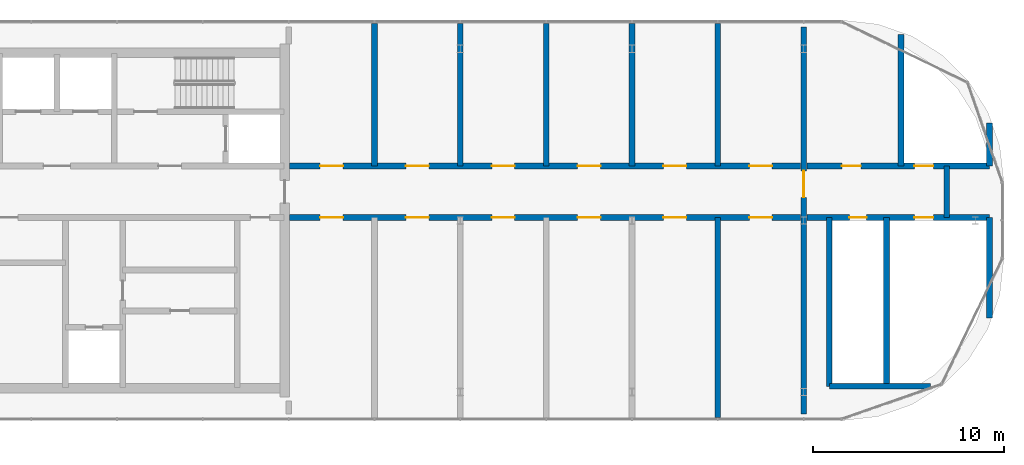
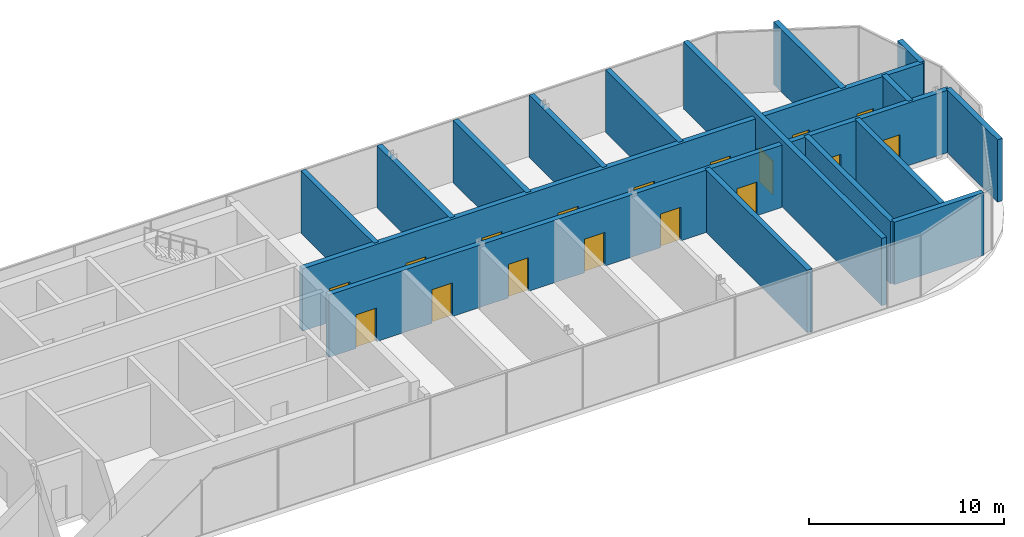
# One storey, part 12 of 14: 18 walls, 17 doors, 17 openings.
"""IFC4 building model written with IfcOpenShell, lengths in metres."""

import ifcopenshell
import ifcopenshell.guid

model = None  # the IFC model being written
_history = None  # IfcOwnerHistory: only IFC2X3 demands one
_inside = {}  # id of a spatial element -> (the spatial element, [elements in it])
_under = {}  # id of a project, library or spatial element -> (it, [spatial elements below it])
_declared = {}  # id of a project -> (the project, [libraries it declares])
_typed = {}  # id of a type object -> (the type object, [elements of that type])
_made_of = {}  # id of a material, layer set ... -> (it, [elements and type objects made of it])


def new_model(schema):
    """Start an empty IFC model of exactly this schema.

    Asked for "IFC4X3", IfcOpenShell would pick the latest addendum, in which some entities
    have other attributes; the version numbers below select the first issue.
    IFC2X3 requires an IfcOwnerHistory on every rooted entity: one is made here for all.
    """
    global model, _history
    if schema == "IFC4X3":
        model = ifcopenshell.file(schema_version=(4, 3, 0, 0))
    else:
        model = ifcopenshell.file(schema=schema)
    _inside.clear()
    _under.clear()
    _declared.clear()
    _typed.clear()
    _made_of.clear()
    _history = None
    if model.schema == "IFC2X3":
        org = make("IfcOrganization", Name="unknown")
        user = make(
            "IfcPersonAndOrganization",
            ThePerson=make("IfcPerson", FamilyName="unknown"),
            TheOrganization=org,
        )
        app = make(
            "IfcApplication",
            ApplicationDeveloper=org,
            Version="unknown",
            ApplicationFullName="unknown",
            ApplicationIdentifier="unknown",
        )
        _history = make(
            "IfcOwnerHistory",
            OwningUser=user,
            OwningApplication=app,
            ChangeAction="ADDED",
            CreationDate=0,
        )
    return model


def make(cls, **values):
    """One entity of the class cls with the attributes given. An attribute that is None is left unset."""
    return model.create_entity(
        cls, **{name: value for name, value in values.items() if value is not None}
    )


def rooted(cls, **values):
    """An entity with a GlobalId (a new one), such as an element, a storey or a relation."""
    return make(cls, GlobalId=ifcopenshell.guid.new(), OwnerHistory=_history, **values)


def si_unit(unit_type, name, prefix=None):
    """IfcSIUnit, for example si_unit("LENGTHUNIT", "METRE", prefix="MILLI")."""
    return make("IfcSIUnit", UnitType=unit_type, Prefix=prefix, Name=name)


def assignment(units):
    """IfcUnitAssignment: the units of a project."""
    return None if units is None else make("IfcUnitAssignment", Units=units)


def point(xyz):
    """IfcCartesianPoint."""
    return None if xyz is None else make("IfcCartesianPoint", Coordinates=xyz)


def direction(xyz):
    """IfcDirection."""
    return None if xyz is None else make("IfcDirection", DirectionRatios=xyz)


def frame(location, z_axis=None, x_axis=None):
    """IfcAxis2Placement3D, a coordinate frame: its origin and axes. An axis left out is left unset."""
    return make(
        "IfcAxis2Placement3D",
        Location=point(location),
        Axis=direction(z_axis),
        RefDirection=direction(x_axis),
    )


def frame_2d(location, x_axis=None):
    """IfcAxis2Placement2D, a coordinate frame in the plane: its origin and x axis."""
    return make(
        "IfcAxis2Placement2D", Location=point(location), RefDirection=direction(x_axis)
    )


def origin():
    """The frame at (0, 0, 0) with its axes left unset."""
    return frame((0.0, 0.0, 0.0))


def place(relative_to, where):
    """IfcLocalPlacement: puts the frame where relative to a parent placement (None: the world)."""
    return make(
        "IfcLocalPlacement", PlacementRelTo=relative_to, RelativePlacement=where
    )


def context(
    kind, dimensions, precision=None, world=None, true_north=None, identifier=None
):
    """IfcGeometricRepresentationContext, for example the 3D "Model" context."""
    return make(
        "IfcGeometricRepresentationContext",
        ContextIdentifier=identifier,
        ContextType=kind,
        CoordinateSpaceDimension=dimensions,
        Precision=precision,
        WorldCoordinateSystem=world,
        TrueNorth=true_north,
    )


def subcontext(parent, identifier, kind, view, scale=None):
    """IfcGeometricRepresentationSubContext, for example "Body" below "Model"."""
    return make(
        "IfcGeometricRepresentationSubContext",
        ContextIdentifier=identifier,
        ContextType=kind,
        ParentContext=parent,
        TargetScale=scale,
        TargetView=view,
    )


def project(units=None, contexts=None):
    """IfcProject with its units and contexts."""
    return rooted(
        "IfcProject",
        Name="project",
        RepresentationContexts=contexts,
        UnitsInContext=assignment(units),
    )


def spatial(cls, under=None, at=None, **own):
    """A site, building, storey or space (cls), placed at a placement, below another one or the project."""
    s = rooted(cls, ObjectPlacement=at, **own)
    if under is not None:
        _under.setdefault(under.id(), (under, []))[1].append(s)
    return s


def profile(cls, at=None, kind="AREA", **sizes):
    """A parametric profile (cls). Its sizes go by their IFC names, for example OverallWidth=200.0."""
    return make(cls, ProfileType=kind, Position=at, **sizes)


def rectangle(**sizes):
    """IfcRectangleProfileDef."""
    return profile("IfcRectangleProfileDef", **sizes)


def extrude(swept, where, along, depth):
    """IfcExtrudedAreaSolid: the profile swept, set in the frame where, extruded along a direction by depth."""
    return make(
        "IfcExtrudedAreaSolid",
        SweptArea=swept,
        Position=where,
        ExtrudedDirection=direction(along),
        Depth=depth,
    )


def shape(context_of_items, identifier, shape_type, items):
    """IfcShapeRepresentation: the items that make up one representation, for example the "Body"."""
    return make(
        "IfcShapeRepresentation",
        ContextOfItems=context_of_items,
        RepresentationIdentifier=identifier,
        RepresentationType=shape_type,
        Items=items,
    )


def material(Name=None, Category=None):
    """IfcMaterial."""
    return make("IfcMaterial", Name=Name, Category=Category)


def layer(
    of_material, thickness, ventilated=None, Name=None, Category=None, Priority=None
):
    """IfcMaterialLayer: one layer of a wall or slab, of a material (None: an air gap)."""
    return make(
        "IfcMaterialLayer",
        Material=of_material,
        LayerThickness=thickness,
        IsVentilated=ventilated,
        Name=Name,
        Category=Category,
        Priority=Priority,
    )


def layer_set(layers, Name=None):
    """IfcMaterialLayerSet."""
    return make("IfcMaterialLayerSet", MaterialLayers=layers, LayerSetName=Name)


def made_of(thing, what):
    """Note that an element or type object is made of a material, layer set ...; save() writes the relation."""
    if what is not None:
        _made_of.setdefault(what.id(), (what, []))[1].append(thing)
    return thing


def type_object(cls, material=None, **own):
    """A type object (cls), such as IfcWallType, which elements share."""
    return made_of(rooted(cls, **own), material)


def element(
    cls,
    number,
    at=None,
    inside=None,
    cuts=None,
    type_object=None,
    material=None,
    context=None,
    identifier="Body",
    shape_type=None,
    held_by="IfcProductDefinitionShape",
    body=None,
    shapes=None,
    **own,
):
    """One element of the class cls, such as IfcWall. Its Tag is "e" and its number.

    at: its placement. inside: the storey or other place that contains it. cuts: it is an
    opening in that element (IfcRelVoidsElement). A single representation is given by context,
    identifier, shape_type and body (its items); several are given by shapes. held_by: the class
    of the entity that holds the representations. save() writes the other relations.
    """
    e = rooted(cls, Tag="e%d" % number, ObjectPlacement=at, **own)
    if body is not None:
        shapes = [shape(context, identifier, shape_type, body)]
    if shapes is not None:
        e.Representation = make(held_by, Representations=shapes)
    if inside is not None:
        _inside.setdefault(inside.id(), (inside, []))[1].append(e)
    if cuts is not None:
        rooted(
            "IfcRelVoidsElement", RelatingBuildingElement=cuts, RelatedOpeningElement=e
        )
    if type_object is not None:
        _typed.setdefault(type_object.id(), (type_object, []))[1].append(e)
    return made_of(e, material)


def fill(opening, filler):
    """IfcRelFillsElement: the door or window that sits in an opening."""
    return rooted(
        "IfcRelFillsElement",
        RelatingOpeningElement=opening,
        RelatedBuildingElement=filler,
    )


def aggregate(whole, parts):
    """IfcRelAggregates: a whole, such as a stair, and the parts it consists of."""
    return rooted("IfcRelAggregates", RelatingObject=whole, RelatedObjects=parts)


def save(model, path):
    """Write the relations noted so far, then the file.

    IfcRelAggregates (storeys below a building ...), IfcRelContainedInSpatialStructure (elements
    in a storey), IfcRelDefinesByType, IfcRelAssociatesMaterial and IfcRelDeclares: one each for
    every whole, place, type object, material and project.
    """
    for whole, parts in _under.values():
        aggregate(whole, parts)
    for where, things in _inside.values():
        rooted(
            "IfcRelContainedInSpatialStructure",
            RelatedElements=things,
            RelatingStructure=where,
        )
    for kind, things in _typed.values():
        rooted("IfcRelDefinesByType", RelatedObjects=things, RelatingType=kind)
    for what, things in _made_of.values():
        rooted("IfcRelAssociatesMaterial", RelatedObjects=things, RelatingMaterial=what)
    for by, libraries in _declared.values():
        rooted("IfcRelDeclares", RelatingContext=by, RelatedDefinitions=libraries)
    model.write(path)


model = new_model("IFC4")

# Units and contexts
model_context = context("Model", 3, precision=1e-05, world=origin(), true_north=direction((0.0, 1.0)))
body_context = subcontext(model_context, "Body", "Model", "MODEL_VIEW")
ifc_project = project(units=[si_unit("LENGTHUNIT", "METRE"), si_unit("AREAUNIT", "SQUARE_METRE"), si_unit("VOLUMEUNIT", "CUBIC_METRE"), si_unit("PLANEANGLEUNIT", "RADIAN"), si_unit("MASSUNIT", "GRAM", prefix="KILO")], contexts=[model_context])

# Site, building, storey
site_placement = place(None, origin())
site = spatial("IfcSite", under=ifc_project, at=site_placement, CompositionType="ELEMENT")
building_placement = place(site_placement, origin())
building = spatial("IfcBuilding", under=site, at=building_placement, Name="Ogive Portal Towers", CompositionType="ELEMENT")
storey_placement = place(building_placement, frame((0.0, 0.0, 277.10009765625)))
storey = spatial("IfcBuildingStorey", under=building, at=storey_placement, Name="L67", CompositionType="ELEMENT", Elevation=277.10009765625)

# Wall, opening, door
ifc_material_1 = material(Name="Concrete C60/75", Category="concrete")
ifc_layer_1 = layer(ifc_material_1, 0.300048828125)
ifc_layer_set_1 = layer_set([ifc_layer_1], Name="REVEAL WALL 300 C60")
wall_type_1 = type_object("IfcWallType", Name="REVEAL WALL 300 C60", PredefinedType="SHEAR", material=ifc_layer_set_1)
wall_1_placement = place(storey_placement, frame((85.5, 20.35009765625, 0.0), z_axis=(0.0, 0.0, 1.0), x_axis=(0.0, 1.0, 0.0)))
wall_1 = element("IfcWall", 1, at=wall_1_placement, inside=storey, type_object=wall_type_1, Name="Portal reveal wall L67", PredefinedType="SHEAR", context=body_context, shape_type="SweptSolid", body=[
    extrude(rectangle(XDim=20.2998046875, YDim=0.300048828125, at=frame_2d((10.14990234375, 0.0))), origin(), (0.0, 0.0, 1.0), 4.199951171875),
])
opening_1_placement = place(wall_1_placement, frame((11.35009765625, 0.0, 0.0)))
opening_1 = element("IfcOpeningElement", 2, at=opening_1_placement, cuts=wall_1, Name="Opening D33-038", PredefinedType="OPENING", context=body_context, shape_type="SweptSolid", body=[
    extrude(rectangle(XDim=1.39990234375, YDim=2.10009765625, at=frame_2d((0.699951171875, 1.050048828125))), frame((0.0, 0.16015625, 0.0), z_axis=(0.0, -1.0, 0.0), x_axis=(1.0, 0.0, 0.0)), (0.0, 0.0, 1.0), 0.320068359375),
])
ifc_material_2 = material(Name="Steel fire door", Category="steel")
door_type_1 = type_object("IfcDoorType", Name="DT-STAIR-1400x2100-FD90S", OperationType="SINGLE_SWING_LEFT", PredefinedType="DOOR", material=ifc_material_2)
door_1_placement = place(opening_1_placement, origin())
door_1 = element("IfcDoor", 3, at=door_1_placement, inside=storey, type_object=door_type_1, Name="Door D33-038", OperationType="SINGLE_SWING_RIGHT", OverallHeight=2.10009765625, OverallWidth=1.39990234375, PredefinedType="DOOR", context=body_context, shape_type="SweptSolid", body=[
    extrude(rectangle(XDim=1.39990234375, YDim=2.10009765625, at=frame_2d((0.699951171875, 1.050048828125))), frame((0.0, 0.02490234375, 0.0), z_axis=(0.0, -1.0, 0.0), x_axis=(1.0, 0.0, 0.0)), (0.0, 0.0, 1.0), 0.050048828125),
])
fill(opening_1, door_1)

# Wall
ifc_material_3 = material(Name="Gypsum board partition on steel studs", Category="steel")
ifc_layer_2 = layer(ifc_material_3, 0.300048828125)
ifc_layer_set_2 = layer_set([ifc_layer_2], Name="WT-PART-300-EI 120")
wall_type_2 = type_object("IfcWallType", Name="WT-PART-300-EI 120", PredefinedType="PARTITIONING", material=ifc_layer_set_2)
wall_2_placement = place(storey_placement, frame((86.85009765625, 21.800048828125, 0.0), z_axis=(0.0, 0.0, 1.0), x_axis=(1.0, 0.0, 0.0)))
element("IfcWall", 4, at=wall_2_placement, inside=storey, type_object=wall_type_2, Name="Wall L67:w001", PredefinedType="PARTITIONING", context=body_context, shape_type="SweptSolid", body=[
    extrude(rectangle(XDim=5.2998046875, YDim=0.300048828125, at=frame_2d((2.64990234375, 0.0))), origin(), (0.0, 0.0, 1.0), 3.89990234375),
])

# Wall, openings, doors
wall_3_placement = place(storey_placement, frame((58.550048828125, 30.64990234375, 0.0), z_axis=(0.0, 0.0, 1.0), x_axis=(1.0, 0.0, 0.0)))
wall_3 = element("IfcWall", 5, at=wall_3_placement, inside=storey, type_object=wall_type_2, Name="Wall L67:w002", PredefinedType="PARTITIONING", context=body_context, shape_type="SweptSolid", body=[
    extrude(rectangle(XDim=26.780029296875, YDim=0.300048828125, at=frame_2d((13.39013671875, 0.0))), origin(), (0.0, 0.0, 1.0), 3.89990234375),
])
opening_2_placement = place(wall_3_placement, frame((1.60009765625, 0.0, 0.0)))
opening_2 = element("IfcOpeningElement", 6, at=opening_2_placement, cuts=wall_3, Name="Opening D33-024", PredefinedType="OPENING", context=body_context, shape_type="SweptSolid", body=[
    extrude(rectangle(XDim=1.199951171875, YDim=2.10009765625, at=frame_2d((0.60009765625, 1.050048828125))), frame((0.0, 0.16015625, 0.0), z_axis=(0.0, -1.0, 0.0), x_axis=(1.0, 0.0, 0.0)), (0.0, 0.0, 1.0), 0.320068359375),
])
opening_3_placement = place(wall_3_placement, frame((6.10009765625, 0.0, 0.0)))
opening_3 = element("IfcOpeningElement", 7, at=opening_3_placement, cuts=wall_3, Name="Opening D33-025", PredefinedType="OPENING", context=body_context, shape_type="SweptSolid", body=[
    extrude(rectangle(XDim=1.199951171875, YDim=2.10009765625, at=frame_2d((0.60009765625, 1.050048828125))), frame((0.0, 0.16015625, 0.0), z_axis=(0.0, -1.0, 0.0), x_axis=(1.0, 0.0, 0.0)), (0.0, 0.0, 1.0), 0.320068359375),
])
opening_4_placement = place(wall_3_placement, frame((10.60009765625, 0.0, 0.0)))
opening_4 = element("IfcOpeningElement", 8, at=opening_4_placement, cuts=wall_3, Name="Opening D33-028", PredefinedType="OPENING", context=body_context, shape_type="SweptSolid", body=[
    extrude(rectangle(XDim=1.199951171875, YDim=2.10009765625, at=frame_2d((0.60009765625, 1.050048828125))), frame((0.0, 0.16015625, 0.0), z_axis=(0.0, -1.0, 0.0), x_axis=(1.0, 0.0, 0.0)), (0.0, 0.0, 1.0), 0.320068359375),
])
opening_5_placement = place(wall_3_placement, frame((15.10009765625, 0.0, 0.0)))
opening_5 = element("IfcOpeningElement", 9, at=opening_5_placement, cuts=wall_3, Name="Opening D33-029", PredefinedType="OPENING", context=body_context, shape_type="SweptSolid", body=[
    extrude(rectangle(XDim=1.199951171875, YDim=2.10009765625, at=frame_2d((0.60009765625, 1.050048828125))), frame((0.0, 0.16015625, 0.0), z_axis=(0.0, -1.0, 0.0), x_axis=(1.0, 0.0, 0.0)), (0.0, 0.0, 1.0), 0.320068359375),
])
opening_6_placement = place(wall_3_placement, frame((19.60009765625, 0.0, 0.0)))
opening_6 = element("IfcOpeningElement", 10, at=opening_6_placement, cuts=wall_3, Name="Opening D33-032", PredefinedType="OPENING", context=body_context, shape_type="SweptSolid", body=[
    extrude(rectangle(XDim=1.199951171875, YDim=2.10009765625, at=frame_2d((0.60009765625, 1.050048828125))), frame((0.0, 0.16015625, 0.0), z_axis=(0.0, -1.0, 0.0), x_axis=(1.0, 0.0, 0.0)), (0.0, 0.0, 1.0), 0.320068359375),
])
opening_7_placement = place(wall_3_placement, frame((24.10009765625, 0.0, 0.0)))
opening_7 = element("IfcOpeningElement", 11, at=opening_7_placement, cuts=wall_3, Name="Opening D33-033", PredefinedType="OPENING", context=body_context, shape_type="SweptSolid", body=[
    extrude(rectangle(XDim=1.199951171875, YDim=2.10009765625, at=frame_2d((0.60009765625, 1.050048828125))), frame((0.0, 0.16015625, 0.0), z_axis=(0.0, -1.0, 0.0), x_axis=(1.0, 0.0, 0.0)), (0.0, 0.0, 1.0), 0.320068359375),
])
door_type_2 = type_object("IfcDoorType", Name="DT-ENTRY-1200x2100-FD90S", OperationType="SINGLE_SWING_LEFT", PredefinedType="DOOR", material=ifc_material_2)
door_2_placement = place(opening_2_placement, origin())
door_2 = element("IfcDoor", 12, at=door_2_placement, inside=storey, type_object=door_type_2, Name="Door D33-024", OperationType="SINGLE_SWING_RIGHT", OverallHeight=2.10009765625, OverallWidth=1.199951171875, PredefinedType="DOOR", context=body_context, shape_type="SweptSolid", body=[
    extrude(rectangle(XDim=1.199951171875, YDim=2.10009765625, at=frame_2d((0.60009765625, 1.050048828125))), frame((0.0, 0.02490234375, 0.0), z_axis=(0.0, -1.0, 0.0), x_axis=(1.0, 0.0, 0.0)), (0.0, 0.0, 1.0), 0.050048828125),
])
fill(opening_2, door_2)
door_3_placement = place(opening_3_placement, origin())
door_3 = element("IfcDoor", 13, at=door_3_placement, inside=storey, type_object=door_type_2, Name="Door D33-025", OperationType="SINGLE_SWING_LEFT", OverallHeight=2.10009765625, OverallWidth=1.199951171875, PredefinedType="DOOR", context=body_context, shape_type="SweptSolid", body=[
    extrude(rectangle(XDim=1.199951171875, YDim=2.10009765625, at=frame_2d((0.60009765625, 1.050048828125))), frame((0.0, 0.02490234375, 0.0), z_axis=(0.0, -1.0, 0.0), x_axis=(1.0, 0.0, 0.0)), (0.0, 0.0, 1.0), 0.050048828125),
])
fill(opening_3, door_3)
door_4_placement = place(opening_4_placement, origin())
door_4 = element("IfcDoor", 14, at=door_4_placement, inside=storey, type_object=door_type_2, Name="Door D33-028", OperationType="SINGLE_SWING_LEFT", OverallHeight=2.10009765625, OverallWidth=1.199951171875, PredefinedType="DOOR", context=body_context, shape_type="SweptSolid", body=[
    extrude(rectangle(XDim=1.199951171875, YDim=2.10009765625, at=frame_2d((0.60009765625, 1.050048828125))), frame((0.0, 0.02490234375, 0.0), z_axis=(0.0, -1.0, 0.0), x_axis=(1.0, 0.0, 0.0)), (0.0, 0.0, 1.0), 0.050048828125),
])
fill(opening_4, door_4)
door_5_placement = place(opening_5_placement, origin())
door_5 = element("IfcDoor", 15, at=door_5_placement, inside=storey, type_object=door_type_2, Name="Door D33-029", OperationType="SINGLE_SWING_LEFT", OverallHeight=2.10009765625, OverallWidth=1.199951171875, PredefinedType="DOOR", context=body_context, shape_type="SweptSolid", body=[
    extrude(rectangle(XDim=1.199951171875, YDim=2.10009765625, at=frame_2d((0.60009765625, 1.050048828125))), frame((0.0, 0.02490234375, 0.0), z_axis=(0.0, -1.0, 0.0), x_axis=(1.0, 0.0, 0.0)), (0.0, 0.0, 1.0), 0.050048828125),
])
fill(opening_5, door_5)
door_6_placement = place(opening_6_placement, origin())
door_6 = element("IfcDoor", 16, at=door_6_placement, inside=storey, type_object=door_type_2, Name="Door D33-032", OperationType="SINGLE_SWING_LEFT", OverallHeight=2.10009765625, OverallWidth=1.199951171875, PredefinedType="DOOR", context=body_context, shape_type="SweptSolid", body=[
    extrude(rectangle(XDim=1.199951171875, YDim=2.10009765625, at=frame_2d((0.60009765625, 1.050048828125))), frame((0.0, 0.02490234375, 0.0), z_axis=(0.0, -1.0, 0.0), x_axis=(1.0, 0.0, 0.0)), (0.0, 0.0, 1.0), 0.050048828125),
])
fill(opening_6, door_6)
door_7_placement = place(opening_7_placement, origin())
door_7 = element("IfcDoor", 17, at=door_7_placement, inside=storey, type_object=door_type_2, Name="Door D33-033", OperationType="SINGLE_SWING_RIGHT", OverallHeight=2.10009765625, OverallWidth=1.199951171875, PredefinedType="DOOR", context=body_context, shape_type="SweptSolid", body=[
    extrude(rectangle(XDim=1.199951171875, YDim=2.10009765625, at=frame_2d((0.60009765625, 1.050048828125))), frame((0.0, 0.02490234375, 0.0), z_axis=(0.0, -1.0, 0.0), x_axis=(1.0, 0.0, 0.0)), (0.0, 0.0, 1.0), 0.050048828125),
])
fill(opening_7, door_7)

wall_4_placement = place(storey_placement, frame((85.669921875, 30.64990234375, 0.0), z_axis=(0.0, 0.0, 1.0), x_axis=(1.0, 0.0, 0.0)))
wall_4 = element("IfcWall", 18, at=wall_4_placement, inside=storey, type_object=wall_type_2, Name="Wall L67:w003", PredefinedType="PARTITIONING", context=body_context, shape_type="SweptSolid", body=[
    extrude(rectangle(XDim=9.580078125, YDim=0.300048828125, at=frame_2d((4.7900390625, 0.0))), origin(), (0.0, 0.0, 1.0), 3.89990234375),
])
opening_8_placement = place(wall_4_placement, frame((2.22998046875, 0.0, 0.0)))
opening_8 = element("IfcOpeningElement", 19, at=opening_8_placement, cuts=wall_4, Name="Opening D33-034", PredefinedType="OPENING", context=body_context, shape_type="SweptSolid", body=[
    extrude(rectangle(XDim=0.89990234375, YDim=2.10009765625, at=frame_2d((0.449951171875, 1.050048828125))), frame((0.0, 0.16015625, 0.0), z_axis=(0.0, -1.0, 0.0), x_axis=(1.0, 0.0, 0.0)), (0.0, 0.0, 1.0), 0.320068359375),
])
opening_9_placement = place(wall_4_placement, frame((5.6298828125, 0.0, 0.0)))
opening_9 = element("IfcOpeningElement", 20, at=opening_9_placement, cuts=wall_4, Name="Opening D33-037", PredefinedType="OPENING", context=body_context, shape_type="SweptSolid", body=[
    extrude(rectangle(XDim=1.0, YDim=2.10009765625, at=frame_2d((0.5, 1.050048828125))), frame((0.0, 0.16015625, 0.0), z_axis=(0.0, -1.0, 0.0), x_axis=(1.0, 0.0, 0.0)), (0.0, 0.0, 1.0), 0.320068359375),
])
door_type_3 = type_object("IfcDoorType", Name="DT-SERVICE-1000x2100-FD90S", OperationType="SINGLE_SWING_LEFT", PredefinedType="DOOR", material=ifc_material_2)
door_8_placement = place(opening_9_placement, origin())
door_8 = element("IfcDoor", 21, at=door_8_placement, inside=storey, type_object=door_type_3, Name="Riser access door D33-037", OperationType="SINGLE_SWING_LEFT", OverallHeight=2.10009765625, OverallWidth=1.0, PredefinedType="DOOR", context=body_context, shape_type="SweptSolid", body=[
    extrude(rectangle(XDim=1.0, YDim=2.10009765625, at=frame_2d((0.5, 1.050048828125))), frame((0.0, 0.02490234375, 0.0), z_axis=(0.0, -1.0, 0.0), x_axis=(1.0, 0.0, 0.0)), (0.0, 0.0, 1.0), 0.050048828125),
])
fill(opening_9, door_8)
door_type_4 = type_object("IfcDoorType", Name="DT-SERVICE-900x2100-FD90S", OperationType="SINGLE_SWING_LEFT", PredefinedType="DOOR", material=ifc_material_2)
door_9_placement = place(opening_8_placement, origin())
door_9 = element("IfcDoor", 22, at=door_9_placement, inside=storey, type_object=door_type_4, Name="Riser access door D33-034", OperationType="SINGLE_SWING_LEFT", OverallHeight=2.10009765625, OverallWidth=0.89990234375, PredefinedType="DOOR", context=body_context, shape_type="SweptSolid", body=[
    extrude(rectangle(XDim=0.89990234375, YDim=2.10009765625, at=frame_2d((0.449951171875, 1.050048828125))), frame((0.0, 0.02490234375, 0.0), z_axis=(0.0, -1.0, 0.0), x_axis=(1.0, 0.0, 0.0)), (0.0, 0.0, 1.0), 0.050048828125),
])
fill(opening_8, door_9)

wall_5_placement = place(storey_placement, frame((58.550048828125, 33.35009765625, 0.0), z_axis=(0.0, 0.0, 1.0), x_axis=(1.0, 0.0, 0.0)))
wall_5 = element("IfcWall", 23, at=wall_5_placement, inside=storey, type_object=wall_type_2, Name="Wall L67:w004", PredefinedType="PARTITIONING", context=body_context, shape_type="SweptSolid", body=[
    extrude(rectangle(XDim=26.780029296875, YDim=0.300048828125, at=frame_2d((13.39013671875, 0.0))), origin(), (0.0, 0.0, 1.0), 3.89990234375),
])
opening_10_placement = place(wall_5_placement, frame((1.60009765625, 0.0, 0.0)))
opening_10 = element("IfcOpeningElement", 24, at=opening_10_placement, cuts=wall_5, Name="Opening D33-022", PredefinedType="OPENING", context=body_context, shape_type="SweptSolid", body=[
    extrude(rectangle(XDim=1.199951171875, YDim=2.10009765625, at=frame_2d((0.60009765625, 1.050048828125))), frame((0.0, 0.16015625, 0.0), z_axis=(0.0, -1.0, 0.0), x_axis=(1.0, 0.0, 0.0)), (0.0, 0.0, 1.0), 0.320068359375),
])
opening_11_placement = place(wall_5_placement, frame((6.10009765625, 0.0, 0.0)))
opening_11 = element("IfcOpeningElement", 25, at=opening_11_placement, cuts=wall_5, Name="Opening D33-023", PredefinedType="OPENING", context=body_context, shape_type="SweptSolid", body=[
    extrude(rectangle(XDim=1.199951171875, YDim=2.10009765625, at=frame_2d((0.60009765625, 1.050048828125))), frame((0.0, 0.16015625, 0.0), z_axis=(0.0, -1.0, 0.0), x_axis=(1.0, 0.0, 0.0)), (0.0, 0.0, 1.0), 0.320068359375),
])
opening_12_placement = place(wall_5_placement, frame((10.60009765625, 0.0, 0.0)))
opening_12 = element("IfcOpeningElement", 26, at=opening_12_placement, cuts=wall_5, Name="Opening D33-026", PredefinedType="OPENING", context=body_context, shape_type="SweptSolid", body=[
    extrude(rectangle(XDim=1.199951171875, YDim=2.10009765625, at=frame_2d((0.60009765625, 1.050048828125))), frame((0.0, 0.16015625, 0.0), z_axis=(0.0, -1.0, 0.0), x_axis=(1.0, 0.0, 0.0)), (0.0, 0.0, 1.0), 0.320068359375),
])
opening_13_placement = place(wall_5_placement, frame((15.10009765625, 0.0, 0.0)))
opening_13 = element("IfcOpeningElement", 27, at=opening_13_placement, cuts=wall_5, Name="Opening D33-027", PredefinedType="OPENING", context=body_context, shape_type="SweptSolid", body=[
    extrude(rectangle(XDim=1.199951171875, YDim=2.10009765625, at=frame_2d((0.60009765625, 1.050048828125))), frame((0.0, 0.16015625, 0.0), z_axis=(0.0, -1.0, 0.0), x_axis=(1.0, 0.0, 0.0)), (0.0, 0.0, 1.0), 0.320068359375),
])
opening_14_placement = place(wall_5_placement, frame((19.60009765625, 0.0, 0.0)))
opening_14 = element("IfcOpeningElement", 28, at=opening_14_placement, cuts=wall_5, Name="Opening D33-030", PredefinedType="OPENING", context=body_context, shape_type="SweptSolid", body=[
    extrude(rectangle(XDim=1.199951171875, YDim=2.10009765625, at=frame_2d((0.60009765625, 1.050048828125))), frame((0.0, 0.16015625, 0.0), z_axis=(0.0, -1.0, 0.0), x_axis=(1.0, 0.0, 0.0)), (0.0, 0.0, 1.0), 0.320068359375),
])
opening_15_placement = place(wall_5_placement, frame((24.10009765625, 0.0, 0.0)))
opening_15 = element("IfcOpeningElement", 29, at=opening_15_placement, cuts=wall_5, Name="Opening D33-031", PredefinedType="OPENING", context=body_context, shape_type="SweptSolid", body=[
    extrude(rectangle(XDim=1.199951171875, YDim=2.10009765625, at=frame_2d((0.60009765625, 1.050048828125))), frame((0.0, 0.16015625, 0.0), z_axis=(0.0, -1.0, 0.0), x_axis=(1.0, 0.0, 0.0)), (0.0, 0.0, 1.0), 0.320068359375),
])
door_10_placement = place(opening_10_placement, origin())
door_10 = element("IfcDoor", 30, at=door_10_placement, inside=storey, type_object=door_type_2, Name="Door D33-022", OperationType="SINGLE_SWING_LEFT", OverallHeight=2.10009765625, OverallWidth=1.199951171875, PredefinedType="DOOR", context=body_context, shape_type="SweptSolid", body=[
    extrude(rectangle(XDim=1.199951171875, YDim=2.10009765625, at=frame_2d((0.60009765625, 1.050048828125))), frame((0.0, 0.02490234375, 0.0), z_axis=(0.0, -1.0, 0.0), x_axis=(1.0, 0.0, 0.0)), (0.0, 0.0, 1.0), 0.050048828125),
])
fill(opening_10, door_10)
door_11_placement = place(opening_11_placement, origin())
door_11 = element("IfcDoor", 31, at=door_11_placement, inside=storey, type_object=door_type_2, Name="Door D33-023", OperationType="SINGLE_SWING_LEFT", OverallHeight=2.10009765625, OverallWidth=1.199951171875, PredefinedType="DOOR", context=body_context, shape_type="SweptSolid", body=[
    extrude(rectangle(XDim=1.199951171875, YDim=2.10009765625, at=frame_2d((0.60009765625, 1.050048828125))), frame((0.0, 0.02490234375, 0.0), z_axis=(0.0, -1.0, 0.0), x_axis=(1.0, 0.0, 0.0)), (0.0, 0.0, 1.0), 0.050048828125),
])
fill(opening_11, door_11)
door_12_placement = place(opening_12_placement, origin())
door_12 = element("IfcDoor", 32, at=door_12_placement, inside=storey, type_object=door_type_2, Name="Door D33-026", OperationType="SINGLE_SWING_LEFT", OverallHeight=2.10009765625, OverallWidth=1.199951171875, PredefinedType="DOOR", context=body_context, shape_type="SweptSolid", body=[
    extrude(rectangle(XDim=1.199951171875, YDim=2.10009765625, at=frame_2d((0.60009765625, 1.050048828125))), frame((0.0, 0.02490234375, 0.0), z_axis=(0.0, -1.0, 0.0), x_axis=(1.0, 0.0, 0.0)), (0.0, 0.0, 1.0), 0.050048828125),
])
fill(opening_12, door_12)
door_13_placement = place(opening_13_placement, origin())
door_13 = element("IfcDoor", 33, at=door_13_placement, inside=storey, type_object=door_type_2, Name="Door D33-027", OperationType="SINGLE_SWING_RIGHT", OverallHeight=2.10009765625, OverallWidth=1.199951171875, PredefinedType="DOOR", context=body_context, shape_type="SweptSolid", body=[
    extrude(rectangle(XDim=1.199951171875, YDim=2.10009765625, at=frame_2d((0.60009765625, 1.050048828125))), frame((0.0, 0.02490234375, 0.0), z_axis=(0.0, -1.0, 0.0), x_axis=(1.0, 0.0, 0.0)), (0.0, 0.0, 1.0), 0.050048828125),
])
fill(opening_13, door_13)
door_14_placement = place(opening_14_placement, origin())
door_14 = element("IfcDoor", 34, at=door_14_placement, inside=storey, type_object=door_type_2, Name="Door D33-030", OperationType="SINGLE_SWING_RIGHT", OverallHeight=2.10009765625, OverallWidth=1.199951171875, PredefinedType="DOOR", context=body_context, shape_type="SweptSolid", body=[
    extrude(rectangle(XDim=1.199951171875, YDim=2.10009765625, at=frame_2d((0.60009765625, 1.050048828125))), frame((0.0, 0.02490234375, 0.0), z_axis=(0.0, -1.0, 0.0), x_axis=(1.0, 0.0, 0.0)), (0.0, 0.0, 1.0), 0.050048828125),
])
fill(opening_14, door_14)
door_15_placement = place(opening_15_placement, origin())
door_15 = element("IfcDoor", 35, at=door_15_placement, inside=storey, type_object=door_type_2, Name="Door D33-031", OperationType="SINGLE_SWING_LEFT", OverallHeight=2.10009765625, OverallWidth=1.199951171875, PredefinedType="DOOR", context=body_context, shape_type="SweptSolid", body=[
    extrude(rectangle(XDim=1.199951171875, YDim=2.10009765625, at=frame_2d((0.60009765625, 1.050048828125))), frame((0.0, 0.02490234375, 0.0), z_axis=(0.0, -1.0, 0.0), x_axis=(1.0, 0.0, 0.0)), (0.0, 0.0, 1.0), 0.050048828125),
])
fill(opening_15, door_15)

wall_6_placement = place(storey_placement, frame((85.669921875, 33.35009765625, 0.0), z_axis=(0.0, 0.0, 1.0), x_axis=(1.0, 0.0, 0.0)))
wall_6 = element("IfcWall", 36, at=wall_6_placement, inside=storey, type_object=wall_type_2, Name="Wall L67:w005", PredefinedType="PARTITIONING", context=body_context, shape_type="SweptSolid", body=[
    extrude(rectangle(XDim=9.580078125, YDim=0.300048828125, at=frame_2d((4.7900390625, 0.0))), origin(), (0.0, 0.0, 1.0), 3.89990234375),
])
opening_16_placement = place(wall_6_placement, frame((1.830078125, 0.0, 0.0)))
opening_16 = element("IfcOpeningElement", 37, at=opening_16_placement, cuts=wall_6, Name="Opening D33-035", PredefinedType="OPENING", context=body_context, shape_type="SweptSolid", body=[
    extrude(rectangle(XDim=1.0, YDim=2.10009765625, at=frame_2d((0.5, 1.050048828125))), frame((0.0, 0.16015625, 0.0), z_axis=(0.0, -1.0, 0.0), x_axis=(1.0, 0.0, 0.0)), (0.0, 0.0, 1.0), 0.320068359375),
])
opening_17_placement = place(wall_6_placement, frame((5.6298828125, 0.0, 0.0)))
opening_17 = element("IfcOpeningElement", 38, at=opening_17_placement, cuts=wall_6, Name="Opening D33-036", PredefinedType="OPENING", context=body_context, shape_type="SweptSolid", body=[
    extrude(rectangle(XDim=1.0, YDim=2.10009765625, at=frame_2d((0.5, 1.050048828125))), frame((0.0, 0.16015625, 0.0), z_axis=(0.0, -1.0, 0.0), x_axis=(1.0, 0.0, 0.0)), (0.0, 0.0, 1.0), 0.320068359375),
])
door_16_placement = place(opening_16_placement, origin())
door_16 = element("IfcDoor", 39, at=door_16_placement, inside=storey, type_object=door_type_3, Name="Door D33-035", OperationType="SINGLE_SWING_LEFT", OverallHeight=2.10009765625, OverallWidth=1.0, PredefinedType="DOOR", context=body_context, shape_type="SweptSolid", body=[
    extrude(rectangle(XDim=1.0, YDim=2.10009765625, at=frame_2d((0.5, 1.050048828125))), frame((0.0, 0.02490234375, 0.0), z_axis=(0.0, -1.0, 0.0), x_axis=(1.0, 0.0, 0.0)), (0.0, 0.0, 1.0), 0.050048828125),
])
fill(opening_16, door_16)
door_17_placement = place(opening_17_placement, origin())
door_17 = element("IfcDoor", 40, at=door_17_placement, inside=storey, type_object=door_type_3, Name="Riser access door D33-036", OperationType="SINGLE_SWING_RIGHT", OverallHeight=2.10009765625, OverallWidth=1.0, PredefinedType="DOOR", context=body_context, shape_type="SweptSolid", body=[
    extrude(rectangle(XDim=1.0, YDim=2.10009765625, at=frame_2d((0.5, 1.050048828125))), frame((0.0, 0.02490234375, 0.0), z_axis=(0.0, -1.0, 0.0), x_axis=(1.0, 0.0, 0.0)), (0.0, 0.0, 1.0), 0.050048828125),
])
fill(opening_17, door_17)

# Walls
for number, where, z_axis, x_axis, name in (
    (41, (86.85009765625, 21.800048828125, 0.0), (0.0, 0.0, 1.0), (0.0, 1.0, 0.0), "Wall L67:w018"),
    (42, (89.85009765625, 21.800048828125, 0.0), (0.0, 0.0, 1.0), (0.0, 1.0, 0.0), "Wall L67:w019"),
):
    element("IfcWall", number, at=place(storey_placement, frame(where, z_axis=z_axis, x_axis=x_axis)), inside=storey, type_object=wall_type_2, Name=name, PredefinedType="PARTITIONING", context=body_context, shape_type="SweptSolid", body=[
        extrude(rectangle(XDim=8.849853515625, YDim=0.300048828125, at=frame_2d((4.4248046875, 0.0))), origin(), (0.0, 0.0, 1.0), 3.89990234375),
    ])
wall_7_placement = place(storey_placement, frame((93.0, 30.64990234375, 0.0), z_axis=(0.0, 0.0, 1.0), x_axis=(0.0, 1.0, 0.0)))
element("IfcWall", 43, at=wall_7_placement, inside=storey, type_object=wall_type_2, Name="Wall L67:w021", PredefinedType="PARTITIONING", context=body_context, shape_type="SweptSolid", body=[
    extrude(rectangle(XDim=2.7001953125, YDim=0.300048828125, at=frame_2d((1.35009765625, 0.0))), origin(), (0.0, 0.0, 1.0), 3.89990234375),
])
ifc_layer_3 = layer(ifc_material_3, 0.300048828125)
ifc_layer_set_3 = layer_set([ifc_layer_3], Name="WT-PART-300-EI 60")
wall_type_3 = type_object("IfcWallType", Name="WT-PART-300-EI 60", PredefinedType="PARTITIONING", material=ifc_layer_set_3)
for number, where, z_axis, x_axis, name in (
    (44, (63.0, 33.35009765625, 0.0), (0.0, 0.0, 1.0), (0.0, 1.0, 0.0), "Wall L67:w009"),
    (45, (67.5, 33.35009765625, 0.0), (0.0, 0.0, 1.0), (0.0, 1.0, 0.0), "Wall L67:w011"),
    (46, (72.0, 33.35009765625, 0.0), (0.0, 0.0, 1.0), (0.0, 1.0, 0.0), "Wall L67:w013"),
    (47, (76.5, 33.35009765625, 0.0), (0.0, 0.0, 1.0), (0.0, 1.0, 0.0), "Wall L67:w015"),
):
    element("IfcWall", number, at=place(storey_placement, frame(where, z_axis=z_axis, x_axis=x_axis)), inside=storey, type_object=wall_type_3, Name=name, PredefinedType="PARTITIONING", context=body_context, shape_type="SweptSolid", body=[
        extrude(rectangle(XDim=7.47998046875, YDim=0.300048828125, at=frame_2d((3.739990234375, 0.0))), origin(), (0.0, 0.0, 1.0), 3.89990234375),
    ])
wall_8_placement = place(storey_placement, frame((81.0, 20.169921875, 0.0), z_axis=(0.0, 0.0, 1.0), x_axis=(0.0, 1.0, 0.0)))
element("IfcWall", 48, at=wall_8_placement, inside=storey, type_object=wall_type_3, Name="Wall L67:w016", PredefinedType="PARTITIONING", context=body_context, shape_type="SweptSolid", body=[
    extrude(rectangle(XDim=10.47998046875, YDim=0.300048828125, at=frame_2d((5.239990234375, 0.0))), origin(), (0.0, 0.0, 1.0), 3.89990234375),
])
wall_9_placement = place(storey_placement, frame((81.0, 33.35009765625, 0.0), z_axis=(0.0, 0.0, 1.0), x_axis=(0.0, 1.0, 0.0)))
element("IfcWall", 49, at=wall_9_placement, inside=storey, type_object=wall_type_3, Name="Wall L67:w017", PredefinedType="PARTITIONING", context=body_context, shape_type="SweptSolid", body=[
    extrude(rectangle(XDim=7.47998046875, YDim=0.300048828125, at=frame_2d((3.739990234375, 0.0))), origin(), (0.0, 0.0, 1.0), 3.89990234375),
])
wall_10_placement = place(storey_placement, frame((90.60009765625, 33.35009765625, 0.0), z_axis=(0.0, 0.0, 1.0), x_axis=(0.0, 1.0, 0.0)))
element("IfcWall", 50, at=wall_10_placement, inside=storey, type_object=wall_type_3, Name="Wall L67:w020", PredefinedType="PARTITIONING", context=body_context, shape_type="SweptSolid", body=[
    extrude(rectangle(XDim=6.89794921875, YDim=0.300048828125, at=frame_2d((3.448974609375, 0.0))), origin(), (0.0, 0.0, 1.0), 3.89990234375),
])
wall_11_placement = place(storey_placement, frame((95.25, 25.386962890625, 0.0), z_axis=(0.0, 0.0, 1.0), x_axis=(0.0, 1.0, 0.0)))
element("IfcWall", 51, at=wall_11_placement, inside=storey, type_object=wall_type_3, Name="Wall L67:w022", PredefinedType="PARTITIONING", context=body_context, shape_type="SweptSolid", body=[
    extrude(rectangle(XDim=5.262939453125, YDim=0.300048828125, at=frame_2d((2.63134765625, 0.0))), origin(), (0.0, 0.0, 1.0), 3.89990234375),
])
wall_12_placement = place(storey_placement, frame((95.25, 33.35009765625, 0.0), z_axis=(0.0, 0.0, 1.0), x_axis=(0.0, 1.0, 0.0)))
element("IfcWall", 52, at=wall_12_placement, inside=storey, type_object=wall_type_3, Name="Wall L67:w023", PredefinedType="PARTITIONING", context=body_context, shape_type="SweptSolid", body=[
    extrude(rectangle(XDim=2.262939453125, YDim=0.300048828125, at=frame_2d((1.13134765625, 0.0))), origin(), (0.0, 0.0, 1.0), 3.89990234375),
])

save(model, "model.ifc")
